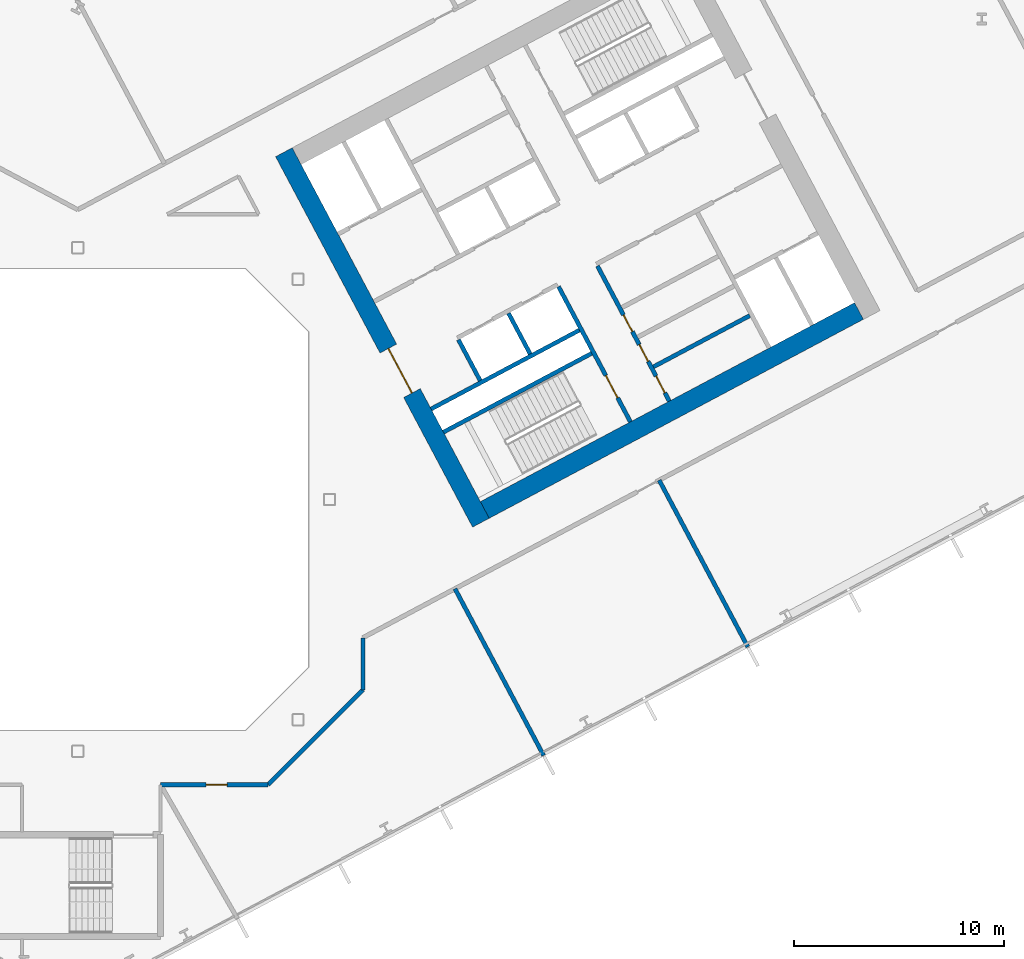
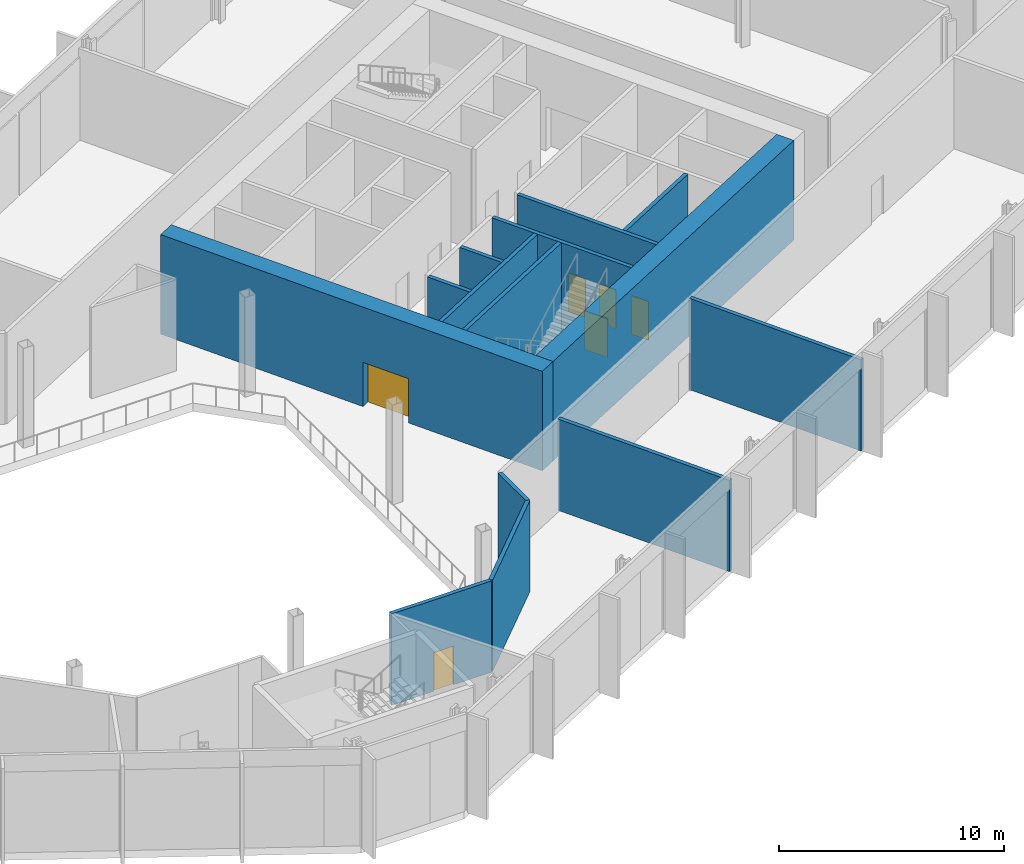
# One storey, part 15 of 32: 14 walls, 6 doors, 6 openings.
"""IFC4 building model written with IfcOpenShell, lengths in metres."""

from ifc_helpers import new_model, si_unit, direction, frame, frame_2d, origin, place, context, subcontext, project, spatial, rectangle, extrude, material, layer, layer_set, type_object, element, fill, save


model = new_model("IFC4")

# Units and contexts
model_context = context("Model", 3, precision=1e-05, world=origin(), true_north=direction((0.0, 1.0)))
body_context = subcontext(model_context, "Body", "Model", "MODEL_VIEW")
ifc_project = project(units=[si_unit("LENGTHUNIT", "METRE"), si_unit("AREAUNIT", "SQUARE_METRE"), si_unit("VOLUMEUNIT", "CUBIC_METRE"), si_unit("PLANEANGLEUNIT", "RADIAN"), si_unit("MASSUNIT", "GRAM", prefix="KILO")], contexts=[model_context])

# Site, building, storey
site_placement = place(None, origin())
site = spatial("IfcSite", under=ifc_project, at=site_placement, CompositionType="ELEMENT")
building_placement = place(site_placement, origin())
building = spatial("IfcBuilding", under=site, at=building_placement, Name="Cormorant Relay Tower", CompositionType="ELEMENT")
storey_placement = place(building_placement, frame((0.0, 0.0, 39.199951171875)))
storey = spatial("IfcBuildingStorey", under=building, at=storey_placement, Name="L07", CompositionType="ELEMENT", Elevation=39.199951171875)

# Walls
ifc_material_1 = material(Name="Concrete 40 MPa", Category="concrete")
ifc_layer_1 = layer(ifc_material_1, 0.199951171875)
ifc_layer_set_1 = layer_set([ifc_layer_1], Name="Core internal wall 200")
wall_type_1 = type_object("IfcWallType", Name="Core internal wall 200", PredefinedType="SOLIDWALL", material=ifc_layer_set_1)
wall_1_placement = place(storey_placement, frame((21.567626953125, 6.9375, 0.0), z_axis=(0.0, 0.0, 1.0), x_axis=(-0.469533832133, 0.882914480843, 0.0)))
element("IfcWall", 1, at=wall_1_placement, inside=storey, type_object=wall_type_1, Name="L07 core B shaft and room wall", PredefinedType="SOLIDWALL", context=body_context, shape_type="SweptSolid", body=[
    extrude(rectangle(XDim=2.199951171875, YDim=0.199951171875, at=frame_2d((1.10009765625, 0.0))), origin(), (0.0, 0.0, 1.0), 5.400146484375),
])
wall_2_placement = place(storey_placement, frame((27.443359375, 6.32421875, 0.0), z_axis=(0.0, 0.0, 1.0), x_axis=(0.882953967957, 0.469459572775, 0.0)))
element("IfcWall", 2, at=wall_2_placement, inside=storey, type_object=wall_type_1, Name="L07 core B shaft and room wall", PredefinedType="SOLIDWALL", context=body_context, shape_type="SweptSolid", body=[
    extrude(rectangle(XDim=5.199951171875, YDim=0.199951171875, at=frame_2d((2.60009765625, 0.0))), origin(), (0.0, 0.0, 1.0), 5.400146484375),
])
ifc_material_2 = material(Name="Concrete 50 MPa", Category="concrete")
ifc_layer_2 = layer(ifc_material_2, 0.199951171875)
ifc_layer_set_2 = layer_set([ifc_layer_2], Name="Core shaft wall 200")
wall_type_2 = type_object("IfcWallType", Name="Core shaft wall 200", PredefinedType="SHEAR", material=ifc_layer_set_2)
wall_3_placement = place(storey_placement, frame((19.18359375, 5.669921875, 0.0), z_axis=(0.0, 0.0, 1.0), x_axis=(-0.4694473164, 0.882960484464, 0.0)))
element("IfcWall", 3, at=wall_3_placement, inside=storey, type_object=wall_type_2, Name="L07 core B shaft wall", PredefinedType="SHEAR", context=body_context, shape_type="SweptSolid", body=[
    extrude(rectangle(XDim=2.199951171875, YDim=0.199951171875, at=frame_2d((1.10009765625, 0.0))), origin(), (0.0, 0.0, 1.0), 5.400146484375),
])

# Wall, opening, door
wall_4_placement = place(storey_placement, frame((26.345947265625, 3.701904296875, 0.0), z_axis=(0.0, 0.0, 1.0), x_axis=(-0.469480409012, 0.88294288918, 0.0)))
wall_4 = element("IfcWall", 4, at=wall_4_placement, inside=storey, type_object=wall_type_2, Name="L07 core B shaft wall", PredefinedType="SHEAR", context=body_context, shape_type="SweptSolid", body=[
    extrude(rectangle(XDim=7.300048828125, YDim=0.199951171875, at=frame_2d((3.64990234375, 0.0))), origin(), (0.0, 0.0, 1.0), 5.400146484375),
])
opening_1_placement = place(wall_4_placement, frame((1.300048828125, 0.0, 0.0)))
opening_1 = element("IfcOpeningElement", 5, at=opening_1_placement, cuts=wall_4, Name="Opening CDB-021", PredefinedType="OPENING", context=body_context, shape_type="SweptSolid", body=[
    extrude(rectangle(XDim=1.199951171875, YDim=2.10009765625, at=frame_2d((0.60009765625, 1.050048828125))), frame((0.0, 0.10986328125, 0.0), z_axis=(0.0, -1.0, 0.0), x_axis=(1.0, 0.0, 0.0)), (0.0, 0.0, 1.0), 0.219970703125),
])
ifc_material_3 = material(Name="Steel fire door", Category="steel")
door_type_1 = type_object("IfcDoorType", Name="Core stair door 1200x2100", OperationType="SINGLE_SWING_LEFT", PredefinedType="DOOR", material=ifc_material_3)
door_1_placement = place(opening_1_placement, origin())
door_1 = element("IfcDoor", 6, at=door_1_placement, inside=storey, type_object=door_type_1, Name="Core stair door 1200x2100", OperationType="SINGLE_SWING_RIGHT", OverallHeight=2.10009765625, OverallWidth=1.199951171875, PredefinedType="DOOR", context=body_context, shape_type="SweptSolid", body=[
    extrude(rectangle(XDim=1.199951171875, YDim=2.10009765625, at=frame_2d((0.60009765625, 1.050048828125))), frame((0.0, 0.02490234375, 0.0), z_axis=(0.0, -1.0, 0.0), x_axis=(1.0, 0.0, 0.0)), (0.0, 0.0, 1.0), 0.050048828125),
])
fill(opening_1, door_1)

# Wall, openings, doors
wall_5_placement = place(storey_placement, frame((28.199951171875, 4.687744140625, 0.0), z_axis=(0.0, 0.0, 1.0), x_axis=(-0.469454336211, 0.882956752176, 0.0)))
wall_5 = element("IfcWall", 7, at=wall_5_placement, inside=storey, type_object=wall_type_2, Name="L07 core B shaft wall", PredefinedType="SHEAR", context=body_context, shape_type="SweptSolid", body=[
    extrude(rectangle(XDim=7.300048828125, YDim=0.199951171875, at=frame_2d((3.64990234375, 0.0))), origin(), (0.0, 0.0, 1.0), 5.400146484375),
])
opening_2_placement = place(wall_5_placement, frame((0.449951171875, 0.0, 0.0)))
opening_2 = element("IfcOpeningElement", 8, at=opening_2_placement, cuts=wall_5, Name="Opening CDD-092", PredefinedType="OPENING", context=body_context, shape_type="SweptSolid", body=[
    extrude(rectangle(XDim=0.89990234375, YDim=2.10009765625, at=frame_2d((0.449951171875, 1.050048828125))), frame((0.0, 0.10986328125, 0.0), z_axis=(0.0, -1.0, 0.0), x_axis=(1.0, 0.0, 0.0)), (0.0, 0.0, 1.0), 0.219970703125),
])
opening_3_placement = place(wall_5_placement, frame((2.14990234375, 0.0, 0.0)))
opening_3 = element("IfcOpeningElement", 9, at=opening_3_placement, cuts=wall_5, Name="Opening CDD-093", PredefinedType="OPENING", context=body_context, shape_type="SweptSolid", body=[
    extrude(rectangle(XDim=0.89990234375, YDim=2.10009765625, at=frame_2d((0.449951171875, 1.050048828125))), frame((0.0, 0.10986328125, 0.0), z_axis=(0.0, -1.0, 0.0), x_axis=(1.0, 0.0, 0.0)), (0.0, 0.0, 1.0), 0.219970703125),
])
opening_4_placement = place(wall_5_placement, frame((3.75, 0.0, 0.0)))
opening_4 = element("IfcOpeningElement", 10, at=opening_4_placement, cuts=wall_5, Name="Opening CDD-094", PredefinedType="OPENING", context=body_context, shape_type="SweptSolid", body=[
    extrude(rectangle(XDim=0.89990234375, YDim=2.10009765625, at=frame_2d((0.449951171875, 1.050048828125))), frame((0.0, 0.10986328125, 0.0), z_axis=(0.0, -1.0, 0.0), x_axis=(1.0, 0.0, 0.0)), (0.0, 0.0, 1.0), 0.219970703125),
])
ifc_material_4 = material(Name="Steel fire door", Category="steel")
door_type_2 = type_object("IfcDoorType", Name="Core room door 900x2100", OperationType="SINGLE_SWING_LEFT", PredefinedType="DOOR", material=ifc_material_4)
door_2_placement = place(opening_2_placement, frame((0.89990234375, 0.0, 0.0), z_axis=(0.0, 0.0, 1.0), x_axis=(-1.0, 0.0, 0.0)))
door_2 = element("IfcDoor", 11, at=door_2_placement, inside=storey, type_object=door_type_2, Name="Core room door 900x2100", OperationType="SINGLE_SWING_LEFT", OverallHeight=2.10009765625, OverallWidth=0.89990234375, PredefinedType="DOOR", context=body_context, shape_type="SweptSolid", body=[
    extrude(rectangle(XDim=0.89990234375, YDim=2.10009765625, at=frame_2d((0.449951171875, 1.050048828125))), frame((0.0, 0.02490234375, 0.0), z_axis=(0.0, -1.0, 0.0), x_axis=(1.0, 0.0, 0.0)), (0.0, 0.0, 1.0), 0.050048828125),
])
fill(opening_2, door_2)
door_3_placement = place(opening_3_placement, frame((0.89990234375, 0.0, 0.0), z_axis=(0.0, 0.0, 1.0), x_axis=(-1.0, 0.0, 0.0)))
door_3 = element("IfcDoor", 12, at=door_3_placement, inside=storey, type_object=door_type_2, Name="Core room door 900x2100", OperationType="SINGLE_SWING_LEFT", OverallHeight=2.10009765625, OverallWidth=0.89990234375, PredefinedType="DOOR", context=body_context, shape_type="SweptSolid", body=[
    extrude(rectangle(XDim=0.89990234375, YDim=2.10009765625, at=frame_2d((0.449951171875, 1.050048828125))), frame((0.0, 0.02490234375, 0.0), z_axis=(0.0, -1.0, 0.0), x_axis=(1.0, 0.0, 0.0)), (0.0, 0.0, 1.0), 0.050048828125),
])
fill(opening_3, door_3)
door_4_placement = place(opening_4_placement, frame((0.89990234375, 0.0, 0.0), z_axis=(0.0, 0.0, 1.0), x_axis=(-1.0, 0.0, 0.0)))
door_4 = element("IfcDoor", 13, at=door_4_placement, inside=storey, type_object=door_type_2, Name="Core room door 900x2100", OperationType="SINGLE_SWING_LEFT", OverallHeight=2.10009765625, OverallWidth=0.89990234375, PredefinedType="DOOR", context=body_context, shape_type="SweptSolid", body=[
    extrude(rectangle(XDim=0.89990234375, YDim=2.10009765625, at=frame_2d((0.449951171875, 1.050048828125))), frame((0.0, 0.02490234375, 0.0), z_axis=(0.0, -1.0, 0.0), x_axis=(1.0, 0.0, 0.0)), (0.0, 0.0, 1.0), 0.050048828125),
])
fill(opening_4, door_4)

# Walls
for number, where, z_axis, x_axis, name in (
    (14, (17.43359375, 3.210205078125, 0.0), (0.0, 0.0, 1.0), (0.882940221191, 0.469485426614, 0.0), "L07 core B shaft wall"),
    (15, (16.8466796875, 4.31396484375, 0.0), (0.0, 0.0, 1.0), (0.882940221191, 0.469485426614, 0.0), "L07 core B shaft wall"),
):
    element("IfcWall", number, at=place(storey_placement, frame(where, z_axis=z_axis, x_axis=x_axis)), inside=storey, type_object=wall_type_2, Name=name, PredefinedType="SHEAR", context=body_context, shape_type="SweptSolid", body=[
        extrude(rectangle(XDim=8.0, YDim=0.199951171875, at=frame_2d((4.0, 0.0))), origin(), (0.0, 0.0, 1.0), 5.400146484375),
    ])

# Wall, opening, door
ifc_material_5 = material(Name="Concrete 70 MPa", Category="concrete")
ifc_layer_3 = layer(ifc_material_5, 0.89990234375)
ifc_layer_set_3 = layer_set([ifc_layer_3], Name="Core wall 900")
wall_type_3 = type_object("IfcWallType", Name="Core wall 900", PredefinedType="SHEAR", material=ifc_layer_set_3)
wall_6_placement = place(storey_placement, frame((19.21923828125, -1.106689453125, 0.0), z_axis=(0.0, 0.0, 1.0), x_axis=(-0.46947084998, 0.882947971864, 0.0)))
wall_6 = element("IfcWall", 16, at=wall_6_placement, inside=storey, type_object=wall_type_3, Name="L07 core B wall", PredefinedType="SHEAR", context=body_context, shape_type="SweptSolid", body=[
    extrude(rectangle(XDim=20.0, YDim=0.89990234375, at=frame_2d((10.0, 0.0))), origin(), (0.0, 0.0, 1.0), 5.400146484375),
])
opening_5_placement = place(wall_6_placement, frame((7.0, 0.0, 0.0)))
opening_5 = element("IfcOpeningElement", 17, at=opening_5_placement, cuts=wall_6, Name="Opening CDA-015", PredefinedType="OPENING", context=body_context, shape_type="SweptSolid", body=[
    extrude(rectangle(XDim=2.39990234375, YDim=2.39990234375, at=frame_2d((1.199951171875, 1.199951171875))), frame((0.0, 0.4599609375, 0.0), z_axis=(0.0, -1.0, 0.0), x_axis=(1.0, 0.0, 0.0)), (0.0, 0.0, 1.0), 0.919921875),
])
ifc_material_6 = material(Name="Steel fire door", Category="steel")
door_type_3 = type_object("IfcDoorType", Name="Core lobby door 2400x2400", OperationType="DOUBLE_DOOR_SINGLE_SWING", PredefinedType="DOOR", material=ifc_material_6)
door_5_placement = place(opening_5_placement, frame((2.39990234375, 0.0, 0.0), z_axis=(0.0, 0.0, 1.0), x_axis=(-1.0, 0.0, 0.0)))
door_5 = element("IfcDoor", 18, at=door_5_placement, inside=storey, type_object=door_type_3, Name="Core lobby door 2400x2400", OperationType="DOUBLE_DOOR_SINGLE_SWING", OverallHeight=2.39990234375, OverallWidth=2.39990234375, PredefinedType="DOOR", context=body_context, shape_type="SweptSolid", body=[
    extrude(rectangle(XDim=2.39990234375, YDim=2.39990234375, at=frame_2d((1.199951171875, 1.199951171875))), frame((0.0, 0.02490234375, 0.0), z_axis=(0.0, -1.0, 0.0), x_axis=(1.0, 0.0, 0.0)), (0.0, 0.0, 1.0), 0.050048828125),
])
fill(opening_5, door_5)

# Walls
wall_7_placement = place(storey_placement, frame((19.4052734375, -0.498046875, 0.0), z_axis=(0.0, 0.0, 1.0), x_axis=(0.88294509198, 0.469476266226, 0.0)))
element("IfcWall", 19, at=wall_7_placement, inside=storey, type_object=wall_type_3, Name="L07 core B wall", PredefinedType="SHEAR", context=body_context, shape_type="SweptSolid", body=[
    extrude(rectangle(XDim=20.199951171875, YDim=0.89990234375, at=frame_2d((10.10009765625, 0.0))), origin(), (0.0, 0.0, 1.0), 5.400146484375),
])
ifc_material_7 = material(Name="Fire-rated gypsum board partition")
ifc_layer_4 = layer(ifc_material_7, 0.199951171875)
ifc_layer_set_4 = layer_set([ifc_layer_4], Name="Fire-rated gypsum partition 200")
wall_type_4 = type_object("IfcWallType", Name="Fire-rated gypsum partition 200", PredefinedType="PARTITIONING", material=ifc_layer_set_4)
wall_8_placement = place(storey_placement, frame((13.597900390625, -6.60205078125, 0.0), z_axis=(0.0, 0.0, 1.0), x_axis=(0.0, -1.0, 0.0)))
element("IfcWall", 20, at=wall_8_placement, inside=storey, type_object=wall_type_4, Name="wall/L07/part/28", PredefinedType="PARTITIONING", context=body_context, shape_type="SweptSolid", body=[
    extrude(rectangle(XDim=2.473876953125, YDim=0.199951171875, at=frame_2d((1.23681640625, 0.0))), origin(), (0.0, 0.0, 1.0), 4.949951171875),
])
wall_9_placement = place(storey_placement, frame((13.597900390625, -9.075927734375, 0.0), z_axis=(0.0, 0.0, 1.0), x_axis=(-0.707106781187, -0.707106781187, 0.0)))
element("IfcWall", 21, at=wall_9_placement, inside=storey, type_object=wall_type_4, Name="wall/L07/part/29", PredefinedType="PARTITIONING", context=body_context, shape_type="SweptSolid", body=[
    extrude(rectangle(XDim=6.39501953125, YDim=0.199951171875, at=frame_2d((3.197509765625, 0.0))), origin(), (0.0, 0.0, 1.0), 4.949951171875),
])

# Wall, opening, door
wall_10_placement = place(storey_placement, frame((9.075927734375, -13.597900390625, 0.0), z_axis=(0.0, 0.0, 1.0), x_axis=(-1.0, 0.0, 0.0)))
wall_10 = element("IfcWall", 22, at=wall_10_placement, inside=storey, type_object=wall_type_4, Name="wall/L07/part/30", PredefinedType="PARTITIONING", context=body_context, shape_type="SweptSolid", body=[
    extrude(rectangle(XDim=5.1259765625, YDim=0.199951171875, at=frame_2d((2.56298828125, 0.0))), origin(), (0.0, 0.0, 1.0), 4.949951171875),
])
opening_6_placement = place(wall_10_placement, frame((1.949951171875, 0.0, 0.0)))
opening_6 = element("IfcOpeningElement", 23, at=opening_6_placement, cuts=wall_10, Name="Opening FD1-029", PredefinedType="OPENING", context=body_context, shape_type="SweptSolid", body=[
    extrude(rectangle(XDim=1.0, YDim=2.10009765625, at=frame_2d((0.5, 1.050048828125))), frame((0.0, 0.10986328125, 0.0), z_axis=(0.0, -1.0, 0.0), x_axis=(1.0, 0.0, 0.0)), (0.0, 0.0, 1.0), 0.219970703125),
])
ifc_material_8 = material(Name="Fire-rated steel door", Category="steel")
door_type_4 = type_object("IfcDoorType", Name="Fire door 1000 x 2100", OperationType="SINGLE_SWING_LEFT", PredefinedType="DOOR", material=ifc_material_8)
door_6_placement = place(opening_6_placement, origin())
door_6 = element("IfcDoor", 24, at=door_6_placement, inside=storey, type_object=door_type_4, Name="door/L07/10", OperationType="SINGLE_SWING_RIGHT", OverallHeight=2.10009765625, OverallWidth=1.0, PredefinedType="DOOR", context=body_context, shape_type="SweptSolid", body=[
    extrude(rectangle(XDim=1.0, YDim=2.10009765625, at=frame_2d((0.5, 1.050048828125))), frame((0.0, 0.02490234375, 0.0), z_axis=(0.0, -1.0, 0.0), x_axis=(1.0, 0.0, 0.0)), (0.0, 0.0, 1.0), 0.050048828125),
])
fill(opening_6, door_6)

# Walls
wall_11_placement = place(storey_placement, frame((17.98291015625, -4.2529296875, 0.0), z_axis=(0.0, 0.0, 1.0), x_axis=(0.469430813661, -0.882969258347, 0.0)))
element("IfcWall", 25, at=wall_11_placement, inside=storey, type_object=wall_type_4, Name="wall/L07/part/32", PredefinedType="PARTITIONING", context=body_context, shape_type="SweptSolid", body=[
    extrude(rectangle(XDim=9.00244140625, YDim=0.199951171875, at=frame_2d((4.501220703125, 0.0))), origin(), (0.0, 0.0, 1.0), 4.949951171875),
])
wall_12_placement = place(storey_placement, frame((27.716064453125, 0.922119140625, 0.0), z_axis=(0.0, 0.0, 1.0), x_axis=(0.469560348869, -0.882900378735, 0.0)))
element("IfcWall", 26, at=wall_12_placement, inside=storey, type_object=wall_type_4, Name="wall/L07/part/35", PredefinedType="PARTITIONING", context=body_context, shape_type="SweptSolid", body=[
    extrude(rectangle(XDim=9.002197265625, YDim=0.199951171875, at=frame_2d((4.5009765625, 0.0))), origin(), (0.0, 0.0, 1.0), 4.949951171875),
])

save(model, "model.ifc")
